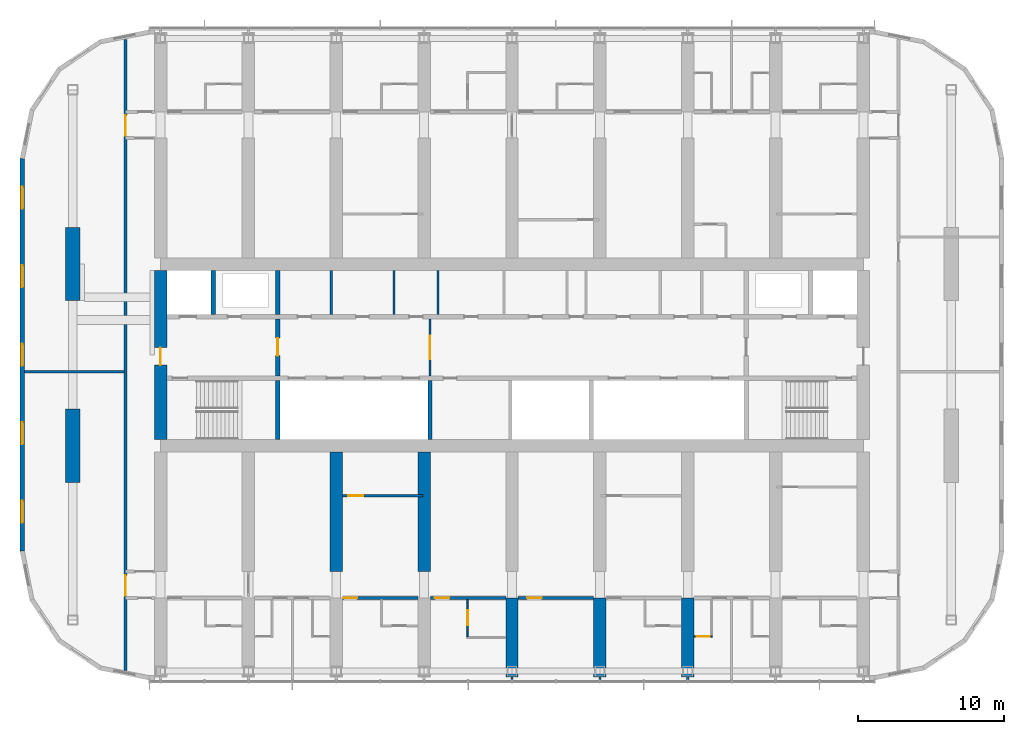
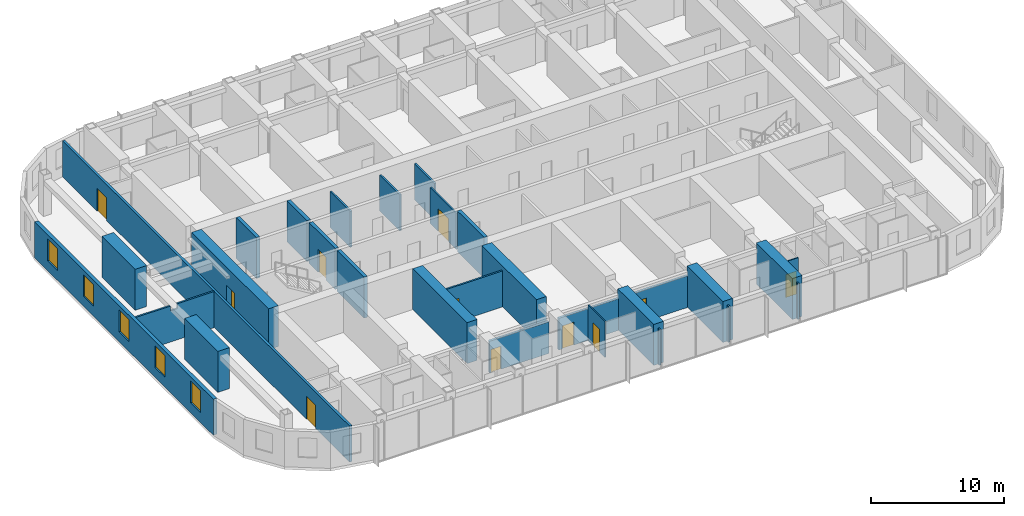
# One storey, part 11 of 22: 29 walls, 11 doors, 5 windows, 16 openings.
"""IFC4 building model written with IfcOpenShell, lengths in metres."""

import ifcopenshell
import ifcopenshell.guid

model = None  # the IFC model being written
_history = None  # IfcOwnerHistory: only IFC2X3 demands one
_inside = {}  # id of a spatial element -> (the spatial element, [elements in it])
_under = {}  # id of a project, library or spatial element -> (it, [spatial elements below it])
_declared = {}  # id of a project -> (the project, [libraries it declares])
_typed = {}  # id of a type object -> (the type object, [elements of that type])
_made_of = {}  # id of a material, layer set ... -> (it, [elements and type objects made of it])


def new_model(schema):
    """Start an empty IFC model of exactly this schema.

    Asked for "IFC4X3", IfcOpenShell would pick the latest addendum, in which some entities
    have other attributes; the version numbers below select the first issue.
    IFC2X3 requires an IfcOwnerHistory on every rooted entity: one is made here for all.
    """
    global model, _history
    if schema == "IFC4X3":
        model = ifcopenshell.file(schema_version=(4, 3, 0, 0))
    else:
        model = ifcopenshell.file(schema=schema)
    _inside.clear()
    _under.clear()
    _declared.clear()
    _typed.clear()
    _made_of.clear()
    _history = None
    if model.schema == "IFC2X3":
        org = make("IfcOrganization", Name="unknown")
        user = make(
            "IfcPersonAndOrganization",
            ThePerson=make("IfcPerson", FamilyName="unknown"),
            TheOrganization=org,
        )
        app = make(
            "IfcApplication",
            ApplicationDeveloper=org,
            Version="unknown",
            ApplicationFullName="unknown",
            ApplicationIdentifier="unknown",
        )
        _history = make(
            "IfcOwnerHistory",
            OwningUser=user,
            OwningApplication=app,
            ChangeAction="ADDED",
            CreationDate=0,
        )
    return model


def make(cls, **values):
    """One entity of the class cls with the attributes given. An attribute that is None is left unset."""
    return model.create_entity(
        cls, **{name: value for name, value in values.items() if value is not None}
    )


def rooted(cls, **values):
    """An entity with a GlobalId (a new one), such as an element, a storey or a relation."""
    return make(cls, GlobalId=ifcopenshell.guid.new(), OwnerHistory=_history, **values)


def si_unit(unit_type, name, prefix=None):
    """IfcSIUnit, for example si_unit("LENGTHUNIT", "METRE", prefix="MILLI")."""
    return make("IfcSIUnit", UnitType=unit_type, Prefix=prefix, Name=name)


def assignment(units):
    """IfcUnitAssignment: the units of a project."""
    return None if units is None else make("IfcUnitAssignment", Units=units)


def point(xyz):
    """IfcCartesianPoint."""
    return None if xyz is None else make("IfcCartesianPoint", Coordinates=xyz)


def direction(xyz):
    """IfcDirection."""
    return None if xyz is None else make("IfcDirection", DirectionRatios=xyz)


def frame(location, z_axis=None, x_axis=None):
    """IfcAxis2Placement3D, a coordinate frame: its origin and axes. An axis left out is left unset."""
    return make(
        "IfcAxis2Placement3D",
        Location=point(location),
        Axis=direction(z_axis),
        RefDirection=direction(x_axis),
    )


def frame_2d(location, x_axis=None):
    """IfcAxis2Placement2D, a coordinate frame in the plane: its origin and x axis."""
    return make(
        "IfcAxis2Placement2D", Location=point(location), RefDirection=direction(x_axis)
    )


def origin():
    """The frame at (0, 0, 0) with its axes left unset."""
    return frame((0.0, 0.0, 0.0))


def place(relative_to, where):
    """IfcLocalPlacement: puts the frame where relative to a parent placement (None: the world)."""
    return make(
        "IfcLocalPlacement", PlacementRelTo=relative_to, RelativePlacement=where
    )


def context(
    kind, dimensions, precision=None, world=None, true_north=None, identifier=None
):
    """IfcGeometricRepresentationContext, for example the 3D "Model" context."""
    return make(
        "IfcGeometricRepresentationContext",
        ContextIdentifier=identifier,
        ContextType=kind,
        CoordinateSpaceDimension=dimensions,
        Precision=precision,
        WorldCoordinateSystem=world,
        TrueNorth=true_north,
    )


def subcontext(parent, identifier, kind, view, scale=None):
    """IfcGeometricRepresentationSubContext, for example "Body" below "Model"."""
    return make(
        "IfcGeometricRepresentationSubContext",
        ContextIdentifier=identifier,
        ContextType=kind,
        ParentContext=parent,
        TargetScale=scale,
        TargetView=view,
    )


def project(units=None, contexts=None):
    """IfcProject with its units and contexts."""
    return rooted(
        "IfcProject",
        Name="project",
        RepresentationContexts=contexts,
        UnitsInContext=assignment(units),
    )


def spatial(cls, under=None, at=None, **own):
    """A site, building, storey or space (cls), placed at a placement, below another one or the project."""
    s = rooted(cls, ObjectPlacement=at, **own)
    if under is not None:
        _under.setdefault(under.id(), (under, []))[1].append(s)
    return s


def polyline(points):
    """IfcPolyline through the points."""
    return make("IfcPolyline", Points=[point(p) for p in points])


def profile(cls, at=None, kind="AREA", **sizes):
    """A parametric profile (cls). Its sizes go by their IFC names, for example OverallWidth=200.0."""
    return make(cls, ProfileType=kind, Position=at, **sizes)


def rectangle(**sizes):
    """IfcRectangleProfileDef."""
    return profile("IfcRectangleProfileDef", **sizes)


def outline(outer, holes=None, kind="AREA"):
    """IfcArbitraryClosedProfileDef: a profile drawn as a closed curve; with holes, ...WithVoids."""
    if holes is None:
        return make("IfcArbitraryClosedProfileDef", ProfileType=kind, OuterCurve=outer)
    return make(
        "IfcArbitraryProfileDefWithVoids",
        ProfileType=kind,
        OuterCurve=outer,
        InnerCurves=holes,
    )


def extrude(swept, where, along, depth):
    """IfcExtrudedAreaSolid: the profile swept, set in the frame where, extruded along a direction by depth."""
    return make(
        "IfcExtrudedAreaSolid",
        SweptArea=swept,
        Position=where,
        ExtrudedDirection=direction(along),
        Depth=depth,
    )


def shape(context_of_items, identifier, shape_type, items):
    """IfcShapeRepresentation: the items that make up one representation, for example the "Body"."""
    return make(
        "IfcShapeRepresentation",
        ContextOfItems=context_of_items,
        RepresentationIdentifier=identifier,
        RepresentationType=shape_type,
        Items=items,
    )


def material(Name=None, Category=None):
    """IfcMaterial."""
    return make("IfcMaterial", Name=Name, Category=Category)


def layer(
    of_material, thickness, ventilated=None, Name=None, Category=None, Priority=None
):
    """IfcMaterialLayer: one layer of a wall or slab, of a material (None: an air gap)."""
    return make(
        "IfcMaterialLayer",
        Material=of_material,
        LayerThickness=thickness,
        IsVentilated=ventilated,
        Name=Name,
        Category=Category,
        Priority=Priority,
    )


def layer_set(layers, Name=None):
    """IfcMaterialLayerSet."""
    return make("IfcMaterialLayerSet", MaterialLayers=layers, LayerSetName=Name)


def made_of(thing, what):
    """Note that an element or type object is made of a material, layer set ...; save() writes the relation."""
    if what is not None:
        _made_of.setdefault(what.id(), (what, []))[1].append(thing)
    return thing


def type_object(cls, material=None, **own):
    """A type object (cls), such as IfcWallType, which elements share."""
    return made_of(rooted(cls, **own), material)


def element(
    cls,
    number,
    at=None,
    inside=None,
    cuts=None,
    type_object=None,
    material=None,
    context=None,
    identifier="Body",
    shape_type=None,
    held_by="IfcProductDefinitionShape",
    body=None,
    shapes=None,
    **own,
):
    """One element of the class cls, such as IfcWall. Its Tag is "e" and its number.

    at: its placement. inside: the storey or other place that contains it. cuts: it is an
    opening in that element (IfcRelVoidsElement). A single representation is given by context,
    identifier, shape_type and body (its items); several are given by shapes. held_by: the class
    of the entity that holds the representations. save() writes the other relations.
    """
    e = rooted(cls, Tag="e%d" % number, ObjectPlacement=at, **own)
    if body is not None:
        shapes = [shape(context, identifier, shape_type, body)]
    if shapes is not None:
        e.Representation = make(held_by, Representations=shapes)
    if inside is not None:
        _inside.setdefault(inside.id(), (inside, []))[1].append(e)
    if cuts is not None:
        rooted(
            "IfcRelVoidsElement", RelatingBuildingElement=cuts, RelatedOpeningElement=e
        )
    if type_object is not None:
        _typed.setdefault(type_object.id(), (type_object, []))[1].append(e)
    return made_of(e, material)


def fill(opening, filler):
    """IfcRelFillsElement: the door or window that sits in an opening."""
    return rooted(
        "IfcRelFillsElement",
        RelatingOpeningElement=opening,
        RelatedBuildingElement=filler,
    )


def aggregate(whole, parts):
    """IfcRelAggregates: a whole, such as a stair, and the parts it consists of."""
    return rooted("IfcRelAggregates", RelatingObject=whole, RelatedObjects=parts)


def save(model, path):
    """Write the relations noted so far, then the file.

    IfcRelAggregates (storeys below a building ...), IfcRelContainedInSpatialStructure (elements
    in a storey), IfcRelDefinesByType, IfcRelAssociatesMaterial and IfcRelDeclares: one each for
    every whole, place, type object, material and project.
    """
    for whole, parts in _under.values():
        aggregate(whole, parts)
    for where, things in _inside.values():
        rooted(
            "IfcRelContainedInSpatialStructure",
            RelatedElements=things,
            RelatingStructure=where,
        )
    for kind, things in _typed.values():
        rooted("IfcRelDefinesByType", RelatedObjects=things, RelatingType=kind)
    for what, things in _made_of.values():
        rooted("IfcRelAssociatesMaterial", RelatedObjects=things, RelatingMaterial=what)
    for by, libraries in _declared.values():
        rooted("IfcRelDeclares", RelatingContext=by, RelatedDefinitions=libraries)
    model.write(path)


model = new_model("IFC4")

# Units and contexts
model_context = context("Model", 3, precision=1e-05, world=origin(), true_north=direction((0.0, 1.0)))
body_context = subcontext(model_context, "Body", "Model", "MODEL_VIEW")
ifc_project = project(units=[si_unit("LENGTHUNIT", "METRE"), si_unit("AREAUNIT", "SQUARE_METRE"), si_unit("VOLUMEUNIT", "CUBIC_METRE"), si_unit("PLANEANGLEUNIT", "RADIAN"), si_unit("MASSUNIT", "GRAM", prefix="KILO")], contexts=[model_context])

# Site, building, storey
site_placement = place(None, origin())
site = spatial("IfcSite", under=ifc_project, at=site_placement, CompositionType="ELEMENT")
building_placement = place(site_placement, origin())
building = spatial("IfcBuilding", under=site, at=building_placement, Name="Orbita Commons", CompositionType="ELEMENT")
storey_placement = place(building_placement, frame((0.0, 0.0, 189.85009765625)))
storey = spatial("IfcBuildingStorey", under=building, at=storey_placement, Name="L47", CompositionType="ELEMENT", Elevation=189.85009765625)

# Wall
ifc_material_1 = material(Name="Concrete C50/60", Category="concrete")
ifc_layer_1 = layer(ifc_material_1, 0.300048828125)
ifc_layer_set_1 = layer_set([ifc_layer_1], Name="Concrete C50/60")
wall_type_1 = type_object("IfcWallType", Name="Core inner wall 300 C50/60", PredefinedType="SHEAR", material=ifc_layer_set_1)
wall_1_placement = place(storey_placement, frame((26.0, 26.22509765625, 0.0), z_axis=(0.0, 0.0, 1.0), x_axis=(0.0, 1.0, 0.0)))
element("IfcWall", 1, at=wall_1_placement, inside=storey, type_object=wall_type_1, Name="Stair S1 wall L47", PredefinedType="SHEAR", context=body_context, shape_type="SweptSolid", body=[
    extrude(rectangle(XDim=4.02490234375, YDim=0.300048828125, at=frame_2d((2.012451171875, 0.0))), origin(), (0.0, 0.0, 1.0), 3.75),
])

# Wall, opening, door
wall_2_placement = place(storey_placement, frame((26.0, 30.550048828125, 0.0), z_axis=(0.0, 0.0, 1.0), x_axis=(0.0, 1.0, 0.0)))
wall_2 = element("IfcWall", 2, at=wall_2_placement, inside=storey, type_object=wall_type_1, Name="Firefighting lobby wall west L47", PredefinedType="SHEAR", context=body_context, shape_type="SweptSolid", body=[
    extrude(rectangle(XDim=3.89990234375, YDim=0.300048828125, at=frame_2d((1.949951171875, 0.0))), origin(), (0.0, 0.0, 1.0), 3.75),
])
opening_1_placement = place(wall_2_placement, frame((1.39990234375, 0.0, 0.0)))
opening_1 = element("IfcOpeningElement", 3, at=opening_1_placement, cuts=wall_2, Name="Opening D04", PredefinedType="OPENING", context=body_context, shape_type="SweptSolid", body=[
    extrude(rectangle(XDim=1.199951171875, YDim=2.10009765625, at=frame_2d((0.60009765625, 1.050048828125))), frame((0.0, 0.159912109375, 0.0), z_axis=(0.0, -1.0, 0.0), x_axis=(1.0, 0.0, 0.0)), (0.0, 0.0, 1.0), 0.320068359375),
])
ifc_material_2 = material(Name="Steel-faced fire door leaf", Category="steel")
door_type_1 = type_object("IfcDoorType", Name="Service door 20 min 1200x2100", OperationType="SINGLE_SWING_LEFT", PredefinedType="DOOR", material=ifc_material_2)
door_1_placement = place(opening_1_placement, origin())
door_1 = element("IfcDoor", 4, at=door_1_placement, inside=storey, type_object=door_type_1, Name="Lift lobby door west", OperationType="SINGLE_SWING_LEFT", OverallHeight=2.10009765625, OverallWidth=1.199951171875, PredefinedType="DOOR", context=body_context, shape_type="SweptSolid", body=[
    extrude(rectangle(XDim=1.199951171875, YDim=2.10009765625, at=frame_2d((0.60009765625, 1.050048828125))), frame((0.0, 0.02490234375, 0.0), z_axis=(0.0, -1.0, 0.0), x_axis=(1.0, 0.0, 0.0)), (0.0, 0.0, 1.0), 0.050048828125),
])
fill(opening_1, door_1)

# Walls
for number, where, z_axis, x_axis, name in (
    (5, (21.60009765625, 34.75, 0.0), (0.0, 0.0, 1.0), (0.0, 1.0, 0.0), "Firefighting lift FL1 shaft wall L47"),
    (6, (26.0, 34.75, 0.0), (0.0, 0.0, 1.0), (0.0, 1.0, 0.0), "Riser wall west L47"),
):
    element("IfcWall", number, at=place(storey_placement, frame(where, z_axis=z_axis, x_axis=x_axis)), inside=storey, type_object=wall_type_1, Name=name, PredefinedType="SHEAR", context=body_context, shape_type="SweptSolid", body=[
        extrude(rectangle(XDim=3.02490234375, YDim=0.300048828125, at=frame_2d((1.512451171875, 0.0))), origin(), (0.0, 0.0, 1.0), 3.75),
    ])
wall_3_placement = place(storey_placement, frame((36.39990234375, 26.22509765625, 0.0), z_axis=(0.0, 0.0, 1.0), x_axis=(0.0, 1.0, 0.0)))
element("IfcWall", 7, at=wall_3_placement, inside=storey, type_object=wall_type_1, Name="Hoistway division wall L47", PredefinedType="SHEAR", context=body_context, shape_type="SweptSolid", body=[
    extrude(rectangle(XDim=4.02490234375, YDim=0.300048828125, at=frame_2d((2.012451171875, 0.0))), origin(), (0.0, 0.0, 1.0), 3.75),
])

# Wall, opening, door
ifc_material_3 = material(Name="Concrete blockwork", Category="masonry")
ifc_layer_2 = layer(ifc_material_3, 0.14990234375)
ifc_layer_set_2 = layer_set([ifc_layer_2], Name="Concrete blockwork")
wall_type_2 = type_object("IfcWallType", Name="Core partition 150 blockwork", PredefinedType="SOLIDWALL", material=ifc_layer_set_2)
wall_4_placement = place(storey_placement, frame((36.39990234375, 30.550048828125, 0.0), z_axis=(0.0, 0.0, 1.0), x_axis=(0.0, 1.0, 0.0)))
wall_4 = element("IfcWall", 8, at=wall_4_placement, inside=storey, type_object=wall_type_2, Name="Core partition 150 blockwork L47", PredefinedType="SOLIDWALL", context=body_context, shape_type="SweptSolid", body=[
    extrude(rectangle(XDim=3.89990234375, YDim=0.14990234375, at=frame_2d((1.949951171875, 0.0))), origin(), (0.0, 0.0, 1.0), 3.2998046875),
])
opening_2_placement = place(wall_4_placement, frame((1.14990234375, 0.0, 0.0)))
opening_2 = element("IfcOpeningElement", 9, at=opening_2_placement, cuts=wall_4, Name="Opening D10", PredefinedType="OPENING", context=body_context, shape_type="SweptSolid", body=[
    extrude(rectangle(XDim=1.60009765625, YDim=2.10009765625, at=frame_2d((0.800048828125, 1.050048828125))), frame((0.0, 0.0849609375, 0.0), z_axis=(0.0, -1.0, 0.0), x_axis=(1.0, 0.0, 0.0)), (0.0, 0.0, 1.0), 0.169921875),
])
ifc_material_4 = material(Name="Steel-faced fire door leaf", Category="steel")
door_type_2 = type_object("IfcDoorType", Name="Double corridor door 20 min 1600x2100", OperationType="DOUBLE_DOOR_SINGLE_SWING", PredefinedType="DOOR", material=ifc_material_4)
door_2_placement = place(opening_2_placement, origin())
door_2 = element("IfcDoor", 10, at=door_2_placement, inside=storey, type_object=door_type_2, Name="Lift lobby screen doors", OperationType="DOUBLE_DOOR_SINGLE_SWING", OverallHeight=2.10009765625, OverallWidth=1.60009765625, PredefinedType="DOOR", context=body_context, shape_type="SweptSolid", body=[
    extrude(rectangle(XDim=1.60009765625, YDim=2.10009765625, at=frame_2d((0.800048828125, 1.050048828125))), frame((0.0, 0.02490234375, 0.0), z_axis=(0.0, -1.0, 0.0), x_axis=(1.0, 0.0, 0.0)), (0.0, 0.0, 1.0), 0.050048828125),
])
fill(opening_2, door_2)

# Walls
for number, where, z_axis, x_axis, name in (
    (11, (29.65087890625, 34.75, 0.0), (0.0, 0.0, 1.0), (0.0, 1.0, 0.0), "Core partition 150 blockwork L47"),
    (12, (33.9462890625, 34.75, 0.0), (0.0, 0.0, 1.0), (0.0, 1.0, 0.0), "Core partition 150 blockwork L47"),
    (13, (36.9462890625, 34.75, 0.0), (0.0, 0.0, 1.0), (0.0, 1.0, 0.0), "Core partition 150 blockwork L47"),
):
    element("IfcWall", number, at=place(storey_placement, frame(where, z_axis=z_axis, x_axis=x_axis)), inside=storey, type_object=wall_type_2, Name=name, PredefinedType="SOLIDWALL", context=body_context, shape_type="SweptSolid", body=[
        extrude(rectangle(XDim=3.02490234375, YDim=0.14990234375, at=frame_2d((1.512451171875, 0.0))), origin(), (0.0, 0.0, 1.0), 3.2998046875),
    ])

# Wall, opening, door
ifc_material_5 = material(Name="Concrete C50/60", Category="concrete")
ifc_layer_3 = layer(ifc_material_5, 0.85009765625)
ifc_layer_set_3 = layer_set([ifc_layer_3], Name="Concrete C50/60")
wall_type_3 = type_object("IfcWallType", Name="Core wall 850 C50/60", PredefinedType="SHEAR", material=ifc_layer_set_3)
wall_5_placement = place(storey_placement, frame((18.0, 26.22509765625, 0.0), z_axis=(0.0, 0.0, 1.0), x_axis=(0.0, 1.0, 0.0)))
wall_5 = element("IfcWall", 14, at=wall_5_placement, inside=storey, type_object=wall_type_3, Name="Core end wall west L47", PredefinedType="SHEAR", context=body_context, shape_type="SweptSolid", body=[
    extrude(rectangle(XDim=11.5498046875, YDim=0.85009765625, at=frame_2d((5.77490234375, 0.0))), origin(), (0.0, 0.0, 1.0), 3.75),
])
opening_3_placement = place(wall_5_placement, frame((5.074951171875, 0.0, 0.0)))
opening_3 = element("IfcOpeningElement", 15, at=opening_3_placement, cuts=wall_5, Name="Opening D01", PredefinedType="OPENING", context=body_context, shape_type="SweptSolid", body=[
    extrude(rectangle(XDim=1.199951171875, YDim=2.10009765625, at=frame_2d((0.60009765625, 1.050048828125))), frame((0.0, 0.43505859375, 0.0), z_axis=(0.0, -1.0, 0.0), x_axis=(1.0, 0.0, 0.0)), (0.0, 0.0, 1.0), 0.8701171875),
])
ifc_material_6 = material(Name="Steel-faced fire door leaf", Category="steel")
door_type_3 = type_object("IfcDoorType", Name="Fire door 90 min 1200x2100", OperationType="SINGLE_SWING_LEFT", PredefinedType="DOOR", material=ifc_material_6)
door_3_placement = place(opening_3_placement, origin())
door_3 = element("IfcDoor", 16, at=door_3_placement, inside=storey, type_object=door_type_3, Name="Firefighting lobby west door", OperationType="SINGLE_SWING_LEFT", OverallHeight=2.10009765625, OverallWidth=1.199951171875, PredefinedType="DOOR", context=body_context, shape_type="SweptSolid", body=[
    extrude(rectangle(XDim=1.199951171875, YDim=2.10009765625, at=frame_2d((0.60009765625, 1.050048828125))), frame((0.0, 0.02490234375, 0.0), z_axis=(0.0, -1.0, 0.0), x_axis=(1.0, 0.0, 0.0)), (0.0, 0.0, 1.0), 0.050048828125),
])
fill(opening_3, door_3)

ifc_material_7 = material(Name="Concrete blockwork", Category="masonry")
ifc_layer_4 = layer(ifc_material_7, 0.199951171875)
ifc_layer_set_4 = layer_set([ifc_layer_4], Name="Concrete blockwork")
wall_type_4 = type_object("IfcWallType", Name="Corridor wall 200 blockwork", PredefinedType="SOLIDWALL", material=ifc_layer_set_4)
wall_6_placement = place(storey_placement, frame((30.425048828125, 15.39990234375, 0.0), z_axis=(0.0, 0.0, 1.0), x_axis=(1.0, 0.0, 0.0)))
wall_6 = element("IfcWall", 17, at=wall_6_placement, inside=storey, type_object=wall_type_4, Name="Corridor wall 200 blockwork L47", PredefinedType="SOLIDWALL", context=body_context, shape_type="SweptSolid", body=[
    extrude(outline(polyline([(0.0, 0.0), (5.14990234375, 0.0), (5.14990234375, 2.89990234375), (0.0, 2.89990234375), (0.0, 0.0)])), frame((0.0, 0.10009765625, 0.0), z_axis=(0.0, -1.0, 0.0), x_axis=(1.0, 0.0, 0.0)), (0.0, 0.0, 1.0), 0.199951171875),
])
opening_4_placement = place(wall_6_placement, frame((0.10009765625, 0.0, 0.0)))
opening_4 = element("IfcOpeningElement", 18, at=opening_4_placement, cuts=wall_6, Name="Opening D11", PredefinedType="OPENING", context=body_context, shape_type="SweptSolid", body=[
    extrude(rectangle(XDim=0.89990234375, YDim=2.10009765625, at=frame_2d((0.449951171875, 1.050048828125))), frame((0.0, 0.10986328125, 0.0), z_axis=(0.0, -1.0, 0.0), x_axis=(1.0, 0.0, 0.0)), (0.0, 0.0, 1.0), 0.219970703125),
])
ifc_material_8 = material(Name="Steel-faced fire door leaf", Category="steel")
door_type_4 = type_object("IfcDoorType", Name="Corridor door 20 min 900x2100", OperationType="SINGLE_SWING_LEFT", PredefinedType="DOOR", material=ifc_material_8)
door_4_placement = place(opening_4_placement, origin())
door_4 = element("IfcDoor", 19, at=door_4_placement, inside=storey, type_object=door_type_4, Name="Twin room L47-S04 door", OperationType="SINGLE_SWING_LEFT", OverallHeight=2.10009765625, OverallWidth=0.89990234375, PredefinedType="DOOR", context=body_context, shape_type="SweptSolid", body=[
    extrude(rectangle(XDim=0.89990234375, YDim=2.10009765625, at=frame_2d((0.449951171875, 1.050048828125))), frame((0.0, 0.02490234375, 0.0), z_axis=(0.0, -1.0, 0.0), x_axis=(1.0, 0.0, 0.0)), (0.0, 0.0, 1.0), 0.050048828125),
])
fill(opening_4, door_4)

wall_7_placement = place(storey_placement, frame((36.425048828125, 15.39990234375, 0.0), z_axis=(0.0, 0.0, 1.0), x_axis=(1.0, 0.0, 0.0)))
wall_7 = element("IfcWall", 20, at=wall_7_placement, inside=storey, type_object=wall_type_4, Name="Corridor wall 200 blockwork L47", PredefinedType="SOLIDWALL", context=body_context, shape_type="SweptSolid", body=[
    extrude(outline(polyline([(0.0, 0.0), (5.14990234375, 0.0), (5.14990234375, 2.89990234375), (0.0, 2.89990234375), (0.0, 0.0)])), frame((0.0, 0.10009765625, 0.0), z_axis=(0.0, -1.0, 0.0), x_axis=(1.0, 0.0, 0.0)), (0.0, 0.0, 1.0), 0.199951171875),
])
opening_5_placement = place(wall_7_placement, frame((0.300048828125, 0.0, 0.0)))
opening_5 = element("IfcOpeningElement", 21, at=opening_5_placement, cuts=wall_7, Name="Opening D06", PredefinedType="OPENING", context=body_context, shape_type="SweptSolid", body=[
    extrude(rectangle(XDim=1.0, YDim=2.10009765625, at=frame_2d((0.5, 1.050048828125))), frame((0.0, 0.10986328125, 0.0), z_axis=(0.0, -1.0, 0.0), x_axis=(1.0, 0.0, 0.0)), (0.0, 0.0, 1.0), 0.219970703125),
])
ifc_material_9 = material(Name="Steel-faced fire door leaf", Category="steel")
door_type_5 = type_object("IfcDoorType", Name="Corridor door 20 min 1000x2100", OperationType="SINGLE_SWING_LEFT", PredefinedType="DOOR", material=ifc_material_9)
door_5_placement = place(opening_5_placement, origin())
door_5 = element("IfcDoor", 22, at=door_5_placement, inside=storey, type_object=door_type_5, Name="Accessible bedroom L47-S06 door", OperationType="SINGLE_SWING_LEFT", OverallHeight=2.10009765625, OverallWidth=1.0, PredefinedType="DOOR", context=body_context, shape_type="SweptSolid", body=[
    extrude(rectangle(XDim=1.0, YDim=2.10009765625, at=frame_2d((0.5, 1.050048828125))), frame((0.0, 0.02490234375, 0.0), z_axis=(0.0, -1.0, 0.0), x_axis=(1.0, 0.0, 0.0)), (0.0, 0.0, 1.0), 0.050048828125),
])
fill(opening_5, door_5)

wall_8_placement = place(storey_placement, frame((42.425048828125, 15.39990234375, 0.0), z_axis=(0.0, 0.0, 1.0), x_axis=(1.0, 0.0, 0.0)))
wall_8 = element("IfcWall", 23, at=wall_8_placement, inside=storey, type_object=wall_type_4, Name="Corridor wall 200 blockwork L47", PredefinedType="SOLIDWALL", context=body_context, shape_type="SweptSolid", body=[
    extrude(outline(polyline([(0.0, 0.0), (5.14990234375, 0.0), (5.14990234375, 2.89990234375), (0.0, 2.89990234375), (0.0, 0.0)])), frame((0.0, 0.10009765625, 0.0), z_axis=(0.0, -1.0, 0.0), x_axis=(1.0, 0.0, 0.0)), (0.0, 0.0, 1.0), 0.199951171875),
])
opening_6_placement = place(wall_8_placement, frame((0.60009765625, 0.0, 0.0)))
opening_6 = element("IfcOpeningElement", 24, at=opening_6_placement, cuts=wall_8, Name="Opening D06", PredefinedType="OPENING", context=body_context, shape_type="SweptSolid", body=[
    extrude(rectangle(XDim=1.0, YDim=2.10009765625, at=frame_2d((0.5, 1.050048828125))), frame((0.0, 0.10986328125, 0.0), z_axis=(0.0, -1.0, 0.0), x_axis=(1.0, 0.0, 0.0)), (0.0, 0.0, 1.0), 0.219970703125),
])
door_6_placement = place(opening_6_placement, origin())
door_6 = element("IfcDoor", 25, at=door_6_placement, inside=storey, type_object=door_type_5, Name="Cluster kitchen-diner L47-S08 door", OperationType="SINGLE_SWING_LEFT", OverallHeight=2.10009765625, OverallWidth=1.0, PredefinedType="DOOR", context=body_context, shape_type="SweptSolid", body=[
    extrude(rectangle(XDim=1.0, YDim=2.10009765625, at=frame_2d((0.5, 1.050048828125))), frame((0.0, 0.02490234375, 0.0), z_axis=(0.0, -1.0, 0.0), x_axis=(1.0, 0.0, 0.0)), (0.0, 0.0, 1.0), 0.050048828125),
])
fill(opening_6, door_6)

# Wall, openings, doors
wall_9_placement = place(storey_placement, frame((15.60009765625, 10.4462890625, 0.0), z_axis=(0.0, 0.0, 1.0), x_axis=(0.0, 1.0, 0.0)))
wall_9 = element("IfcWall", 26, at=wall_9_placement, inside=storey, type_object=wall_type_4, Name="Corridor wall 200 blockwork L47", PredefinedType="SOLIDWALL", context=body_context, shape_type="SweptSolid", body=[
    extrude(rectangle(XDim=43.107421875, YDim=0.199951171875, at=frame_2d((21.5537109375, 0.0))), origin(), (0.0, 0.0, 1.0), 3.2998046875),
])
opening_7_placement = place(wall_9_placement, frame((5.103759765625, 0.0, 0.0)))
opening_7 = element("IfcOpeningElement", 27, at=opening_7_placement, cuts=wall_9, Name="Opening D08", PredefinedType="OPENING", context=body_context, shape_type="SweptSolid", body=[
    extrude(rectangle(XDim=1.39990234375, YDim=2.10009765625, at=frame_2d((0.699951171875, 1.050048828125))), frame((0.0, 0.10986328125, 0.0), z_axis=(0.0, -1.0, 0.0), x_axis=(1.0, 0.0, 0.0)), (0.0, 0.0, 1.0), 0.219970703125),
])
opening_8_placement = place(wall_9_placement, frame((36.50390625, 0.0, 0.0)))
opening_8 = element("IfcOpeningElement", 28, at=opening_8_placement, cuts=wall_9, Name="Opening D08", PredefinedType="OPENING", context=body_context, shape_type="SweptSolid", body=[
    extrude(rectangle(XDim=1.39990234375, YDim=2.10009765625, at=frame_2d((0.699951171875, 1.050048828125))), frame((0.0, 0.10986328125, 0.0), z_axis=(0.0, -1.0, 0.0), x_axis=(1.0, 0.0, 0.0)), (0.0, 0.0, 1.0), 0.219970703125),
])
ifc_material_10 = material(Name="Steel-faced fire door leaf", Category="steel")
door_type_6 = type_object("IfcDoorType", Name="Double corridor door 20 min 1400x2100", OperationType="DOUBLE_DOOR_SINGLE_SWING", PredefinedType="DOOR", material=ifc_material_10)
door_7_placement = place(opening_7_placement, origin())
door_7 = element("IfcDoor", 29, at=door_7_placement, inside=storey, type_object=door_type_6, Name="Lounge doors", OperationType="DOUBLE_DOOR_SINGLE_SWING", OverallHeight=2.10009765625, OverallWidth=1.39990234375, PredefinedType="DOOR", context=body_context, shape_type="SweptSolid", body=[
    extrude(rectangle(XDim=1.39990234375, YDim=2.10009765625, at=frame_2d((0.699951171875, 1.050048828125))), frame((0.0, 0.02490234375, 0.0), z_axis=(0.0, -1.0, 0.0), x_axis=(1.0, 0.0, 0.0)), (0.0, 0.0, 1.0), 0.050048828125),
])
fill(opening_7, door_7)
door_8_placement = place(opening_8_placement, origin())
door_8 = element("IfcDoor", 30, at=door_8_placement, inside=storey, type_object=door_type_6, Name="Lounge doors", OperationType="DOUBLE_DOOR_SINGLE_SWING", OverallHeight=2.10009765625, OverallWidth=1.39990234375, PredefinedType="DOOR", context=body_context, shape_type="SweptSolid", body=[
    extrude(rectangle(XDim=1.39990234375, YDim=2.10009765625, at=frame_2d((0.699951171875, 1.050048828125))), frame((0.0, 0.02490234375, 0.0), z_axis=(0.0, -1.0, 0.0), x_axis=(1.0, 0.0, 0.0)), (0.0, 0.0, 1.0), 0.050048828125),
])
fill(opening_8, door_8)

# Walls
ifc_material_11 = material(Name="Concrete C50/60", Category="concrete")
ifc_layer_5 = layer(ifc_material_11, 0.85009765625)
ifc_layer_set_5 = layer_set([ifc_layer_5], Name="Concrete C50/60")
wall_type_5 = type_object("IfcWallType", Name="Cross wall 850 C50/60", PredefinedType="SHEAR", material=ifc_layer_set_5)
for number, where, z_axis, x_axis, name in (
    (31, (30.0, 17.199951171875, 0.0), (0.0, 0.0, 1.0), (0.0, 1.0, 0.0), "Cross wall 6 south inner L47"),
    (32, (36.0, 17.199951171875, 0.0), (0.0, 0.0, 1.0), (0.0, 1.0, 0.0), "Cross wall 7 south inner L47"),
):
    element("IfcWall", number, at=place(storey_placement, frame(where, z_axis=z_axis, x_axis=x_axis)), inside=storey, type_object=wall_type_5, Name=name, PredefinedType="SHEAR", context=body_context, shape_type="SweptSolid", body=[
        extrude(rectangle(XDim=8.175048828125, YDim=0.85009765625, at=frame_2d((4.08740234375, 0.0))), origin(), (0.0, 0.0, 1.0), 3.75),
    ])
for number, where, z_axis, x_axis, name in (
    (33, (42.0, 10.0, 0.0), (0.0, 0.0, 1.0), (0.0, 1.0, 0.0), "Cross wall 8 south outer L47"),
    (34, (48.0, 10.0, 0.0), (0.0, 0.0, 1.0), (0.0, 1.0, 0.0), "Cross wall 9 south outer L47"),
    (35, (54.0, 10.0, 0.0), (0.0, 0.0, 1.0), (0.0, 1.0, 0.0), "Cross wall 10 south outer L47"),
):
    element("IfcWall", number, at=place(storey_placement, frame(where, z_axis=z_axis, x_axis=x_axis)), inside=storey, type_object=wall_type_5, Name=name, PredefinedType="SHEAR", context=body_context, shape_type="SweptSolid", body=[
        extrude(rectangle(XDim=5.39990234375, YDim=0.85009765625, at=frame_2d((2.699951171875, 0.0))), origin(), (0.0, 0.0, 1.0), 3.75),
    ])

# Wall, opening, door
ifc_material_12 = material(Name="Moisture-resistant plasterboard on steel studs", Category="steel")
ifc_layer_6 = layer(ifc_material_12, 0.10009765625)
ifc_layer_set_6 = layer_set([ifc_layer_6], Name="Moisture-resistant plasterboard on steel studs")
wall_type_6 = type_object("IfcWallType", Name="En-suite partition 100", PredefinedType="PARTITIONING", material=ifc_layer_set_6)
wall_10_placement = place(storey_placement, frame((38.97509765625, 12.75, 0.0), z_axis=(0.0, 0.0, 1.0), x_axis=(0.0, 1.0, 0.0)))
wall_10 = element("IfcWall", 36, at=wall_10_placement, inside=storey, type_object=wall_type_6, Name="En-suite partition 100 L47", PredefinedType="PARTITIONING", context=body_context, shape_type="SweptSolid", body=[
    extrude(outline(polyline([(0.0, 0.0), (2.550048828125, 0.0), (2.550048828125, 2.89990234375), (2.501953125, 2.89990234375), (2.5, 3.2998046875), (0.0, 3.2998046875), (0.0, 0.0)])), frame((0.0, 0.050048828125, 0.0), z_axis=(0.0, -1.0, 0.0), x_axis=(1.0, 0.0, 0.0)), (0.0, 0.0, 1.0), 0.10009765625),
])
opening_9_placement = place(wall_10_placement, frame((0.800048828125, 0.0, 0.0)))
opening_9 = element("IfcOpeningElement", 37, at=opening_9_placement, cuts=wall_10, Name="Opening D13", PredefinedType="OPENING", context=body_context, shape_type="SweptSolid", body=[
    extrude(rectangle(XDim=1.0, YDim=2.10009765625, at=frame_2d((0.5, 1.050048828125))), frame((0.0, 0.06005859375, 0.0), z_axis=(0.0, -1.0, 0.0), x_axis=(1.0, 0.0, 0.0)), (0.0, 0.0, 1.0), 0.1201171875),
])
ifc_material_13 = material(Name="Laminated timber door leaf", Category="wood")
door_type_7 = type_object("IfcDoorType", Name="En-suite door 1000x2100", OperationType="SINGLE_SWING_RIGHT", PredefinedType="DOOR", material=ifc_material_13)
door_9_placement = place(opening_9_placement, origin())
door_9 = element("IfcDoor", 38, at=door_9_placement, inside=storey, type_object=door_type_7, Name="Accessible shower room L47-S06 door", OperationType="SINGLE_SWING_RIGHT", OverallHeight=2.10009765625, OverallWidth=1.0, PredefinedType="DOOR", context=body_context, shape_type="SweptSolid", body=[
    extrude(rectangle(XDim=1.0, YDim=2.10009765625, at=frame_2d((0.5, 1.050048828125))), frame((0.0, 0.02490234375, 0.0), z_axis=(0.0, -1.0, 0.0), x_axis=(1.0, 0.0, 0.0)), (0.0, 0.0, 1.0), 0.050048828125),
])
fill(opening_9, door_9)

wall_11_placement = place(storey_placement, frame((55.675048828125, 12.75830078125, 0.0), z_axis=(0.0, 0.0, 1.0), x_axis=(-1.0, 0.0, 0.0)))
wall_11 = element("IfcWall", 39, at=wall_11_placement, inside=storey, type_object=wall_type_6, Name="En-suite partition 100 L47", PredefinedType="PARTITIONING", context=body_context, shape_type="SweptSolid", body=[
    extrude(rectangle(XDim=1.25, YDim=0.10009765625, at=frame_2d((0.625, 0.0))), origin(), (0.0, 0.0, 1.0), 3.2998046875),
])
opening_10_placement = place(wall_11_placement, frame((0.175048828125, 0.0, 0.0)))
opening_10 = element("IfcOpeningElement", 40, at=opening_10_placement, cuts=wall_11, Name="Opening D09", PredefinedType="OPENING", context=body_context, shape_type="SweptSolid", body=[
    extrude(rectangle(XDim=0.89990234375, YDim=2.10009765625, at=frame_2d((0.449951171875, 1.050048828125))), frame((0.0, 0.06005859375, 0.0), z_axis=(0.0, -1.0, 0.0), x_axis=(1.0, 0.0, 0.0)), (0.0, 0.0, 1.0), 0.1201171875),
])
ifc_material_14 = material(Name="Laminated timber door leaf", Category="wood")
door_type_8 = type_object("IfcDoorType", Name="En-suite door 900x2100", OperationType="SINGLE_SWING_RIGHT", PredefinedType="DOOR", material=ifc_material_14)
door_10_placement = place(opening_10_placement, origin())
door_10 = element("IfcDoor", 41, at=door_10_placement, inside=storey, type_object=door_type_8, Name="En-suite L47-S12 door", OperationType="SINGLE_SWING_RIGHT", OverallHeight=2.10009765625, OverallWidth=0.89990234375, PredefinedType="DOOR", context=body_context, shape_type="SweptSolid", body=[
    extrude(rectangle(XDim=0.89990234375, YDim=2.10009765625, at=frame_2d((0.449951171875, 1.050048828125))), frame((0.0, 0.02490234375, 0.0), z_axis=(0.0, -1.0, 0.0), x_axis=(1.0, 0.0, 0.0)), (0.0, 0.0, 1.0), 0.050048828125),
])
fill(opening_10, door_10)

# Walls
ifc_material_15 = material(Name="Concrete C50/60", Category="concrete")
ifc_layer_7 = layer(ifc_material_15, 1.0)
ifc_layer_set_7 = layer_set([ifc_layer_7], Name="Concrete C50/60")
wall_type_7 = type_object("IfcWallType", Name="End pier 1000x5000 C50/60", PredefinedType="SHEAR", material=ifc_layer_set_7)
for number, where, z_axis, x_axis, name in (
    (42, (12.0, 23.300048828125, 0.0), (0.0, 0.0, 1.0), (0.0, 1.0, 0.0), "End pier 3/C L47"),
    (43, (12.0, 35.699951171875, 0.0), (0.0, 0.0, 1.0), (0.0, 1.0, 0.0), "End pier 3/D L47"),
):
    element("IfcWall", number, at=place(storey_placement, frame(where, z_axis=z_axis, x_axis=x_axis)), inside=storey, type_object=wall_type_7, Name=name, PredefinedType="SHEAR", context=body_context, shape_type="SweptSolid", body=[
        extrude(rectangle(XDim=5.0, YDim=1.0, at=frame_2d((2.5, 0.0))), origin(), (0.0, 0.0, 1.0), 3.75),
    ])

# Wall, opening, door
ifc_material_16 = material(Name="Gypsum plasterboard on steel studs", Category="steel")
ifc_layer_8 = layer(ifc_material_16, 0.14990234375)
ifc_layer_set_8 = layer_set([ifc_layer_8], Name="Gypsum plasterboard on steel studs")
wall_type_8 = type_object("IfcWallType", Name="Partition 150 plasterboard", PredefinedType="PARTITIONING", material=ifc_layer_set_8)
wall_12_placement = place(storey_placement, frame((30.425048828125, 22.375, 0.0), z_axis=(0.0, 0.0, 1.0), x_axis=(1.0, 0.0, 0.0)))
wall_12 = element("IfcWall", 44, at=wall_12_placement, inside=storey, type_object=wall_type_8, Name="Partition 150 plasterboard L47", PredefinedType="PARTITIONING", context=body_context, shape_type="SweptSolid", body=[
    extrude(rectangle(XDim=5.5, YDim=0.14990234375, at=frame_2d((2.75, 0.0))), origin(), (0.0, 0.0, 1.0), 3.2998046875),
])
opening_11_placement = place(wall_12_placement, frame((0.39990234375, 0.0, 0.0)))
opening_11 = element("IfcOpeningElement", 45, at=opening_11_placement, cuts=wall_12, Name="Opening D17", PredefinedType="OPENING", context=body_context, shape_type="SweptSolid", body=[
    extrude(rectangle(XDim=1.0, YDim=2.10009765625, at=frame_2d((0.5, 1.050048828125))), frame((0.0, 0.0849609375, 0.0), z_axis=(0.0, -1.0, 0.0), x_axis=(1.0, 0.0, 0.0)), (0.0, 0.0, 1.0), 0.169921875),
])
ifc_material_17 = material(Name="Steel-faced fire door leaf", Category="steel")
door_type_9 = type_object("IfcDoorType", Name="Shaft access door 90 min 1000x2100", OperationType="SINGLE_SWING_LEFT", PredefinedType="DOOR", material=ifc_material_17)
door_11_placement = place(opening_11_placement, origin())
door_11 = element("IfcDoor", 46, at=door_11_placement, inside=storey, type_object=door_type_9, Name="Ventilation plant room south L47-BDS30 door", OperationType="SINGLE_SWING_LEFT", OverallHeight=2.10009765625, OverallWidth=1.0, PredefinedType="DOOR", context=body_context, shape_type="SweptSolid", body=[
    extrude(rectangle(XDim=1.0, YDim=2.10009765625, at=frame_2d((0.5, 1.050048828125))), frame((0.0, 0.02490234375, 0.0), z_axis=(0.0, -1.0, 0.0), x_axis=(1.0, 0.0, 0.0)), (0.0, 0.0, 1.0), 0.050048828125),
])
fill(opening_11, door_11)

# Walls
wall_13_placement = place(storey_placement, frame((8.705078125, 30.85009765625, 0.0), z_axis=(0.0, 0.0, 1.0), x_axis=(1.0, 0.0, 0.0)))
element("IfcWall", 47, at=wall_13_placement, inside=storey, type_object=wall_type_8, Name="Partition 150 plasterboard L47", PredefinedType="PARTITIONING", context=body_context, shape_type="SweptSolid", body=[
    extrude(outline(polyline([(0.0, 0.0), (6.81982421875, 0.0), (6.820068359375, 3.2998046875), (3.596923828125, 3.2998046875), (3.594970703125, 2.849853515625), (2.9970703125, 2.849853515625), (2.9951171875, 3.2998046875), (0.0, 3.2998046875), (0.0, 0.0)])), frame((0.0, 0.074951171875, 0.0), z_axis=(0.0, -1.0, 0.0), x_axis=(1.0, 0.0, 0.0)), (0.0, 0.0, 1.0), 0.14990234375),
])
for number, where, z_axis, x_axis, name in (
    (48, (42.0, 10.050048828125, 0.0), (0.0, 0.0, 1.0), (0.0, -1.0, 0.0), "Partition 150 plasterboard L47"),
    (49, (48.0, 10.050048828125, 0.0), (0.0, 0.0, 1.0), (0.0, -1.0, 0.0), "Partition 150 plasterboard L47"),
    (50, (54.0, 10.050048828125, 0.0), (0.0, 0.0, 1.0), (0.0, -1.0, 0.0), "Partition 150 plasterboard L47"),
):
    element("IfcWall", number, at=place(storey_placement, frame(where, z_axis=z_axis, x_axis=x_axis)), inside=storey, type_object=wall_type_8, Name=name, PredefinedType="PARTITIONING", context=body_context, shape_type="SweptSolid", body=[
        extrude(rectangle(XDim=0.239990234375, YDim=0.14990234375, at=frame_2d((0.1201171875, 0.0))), origin(), (0.0, 0.0, 1.0), 3.2998046875),
    ])

# Wall, openings, windows
ifc_material_18 = material(Name="Precast concrete C40/50, white board-marked finish", Category="concrete")
ifc_layer_9 = layer(ifc_material_18, 0.300048828125)
ifc_layer_set_9 = layer_set([ifc_layer_9], Name="Precast concrete C40/50, white board-marked finish")
wall_type_9 = type_object("IfcWallType", Name="Precast concrete end shield 300", PredefinedType="SOLIDWALL", material=ifc_layer_set_9)
wall_14_placement = place(storey_placement, frame((8.550048828125, 45.39990234375, 0.0), z_axis=(0.0, 0.0, 1.0), x_axis=(0.0, -1.0, 0.0)))
wall_14 = element("IfcWall", 51, at=wall_14_placement, inside=storey, type_object=wall_type_9, Name="End shield W L47", PredefinedType="SOLIDWALL", context=body_context, shape_type="SweptSolid", body=[
    extrude(outline(polyline([(-0.014892578125, -0.14990234375), (26.814697265625, -0.14990234375), (26.784912109375, 0.14990234375), (0.014892578125, 0.14990234375), (-0.014892578125, -0.14990234375)])), origin(), (0.0, 0.0, 1.0), 3.2998046875),
])
opening_12_placement = place(wall_14_placement, frame((1.929931640625, 0.0, 0.89990234375)))
opening_12 = element("IfcOpeningElement", 52, at=opening_12_placement, cuts=wall_14, Name="Opening W01", PredefinedType="OPENING", context=body_context, shape_type="SweptSolid", body=[
    extrude(rectangle(XDim=1.5, YDim=2.0, at=frame_2d((0.75, 1.0))), frame((0.0, 0.159912109375, 0.0), z_axis=(0.0, -1.0, 0.0), x_axis=(1.0, 0.0, 0.0)), (0.0, 0.0, 1.0), 0.320068359375),
])
opening_13_placement = place(wall_14_placement, frame((7.2900390625, 0.0, 0.89990234375)))
opening_13 = element("IfcOpeningElement", 53, at=opening_13_placement, cuts=wall_14, Name="Opening W01", PredefinedType="OPENING", context=body_context, shape_type="SweptSolid", body=[
    extrude(rectangle(XDim=1.5, YDim=2.0, at=frame_2d((0.75, 1.0))), frame((0.0, 0.159912109375, 0.0), z_axis=(0.0, -1.0, 0.0), x_axis=(1.0, 0.0, 0.0)), (0.0, 0.0, 1.0), 0.320068359375),
])
opening_14_placement = place(wall_14_placement, frame((12.64990234375, 0.0, 0.89990234375)))
opening_14 = element("IfcOpeningElement", 54, at=opening_14_placement, cuts=wall_14, Name="Opening W01", PredefinedType="OPENING", context=body_context, shape_type="SweptSolid", body=[
    extrude(rectangle(XDim=1.5, YDim=2.0, at=frame_2d((0.75, 1.0))), frame((0.0, 0.159912109375, 0.0), z_axis=(0.0, -1.0, 0.0), x_axis=(1.0, 0.0, 0.0)), (0.0, 0.0, 1.0), 0.320068359375),
])
opening_15_placement = place(wall_14_placement, frame((18.010009765625, 0.0, 0.89990234375)))
opening_15 = element("IfcOpeningElement", 55, at=opening_15_placement, cuts=wall_14, Name="Opening W01", PredefinedType="OPENING", context=body_context, shape_type="SweptSolid", body=[
    extrude(rectangle(XDim=1.5, YDim=2.0, at=frame_2d((0.75, 1.0))), frame((0.0, 0.159912109375, 0.0), z_axis=(0.0, -1.0, 0.0), x_axis=(1.0, 0.0, 0.0)), (0.0, 0.0, 1.0), 0.320068359375),
])
opening_16_placement = place(wall_14_placement, frame((23.3701171875, 0.0, 0.89990234375)))
opening_16 = element("IfcOpeningElement", 56, at=opening_16_placement, cuts=wall_14, Name="Opening W01", PredefinedType="OPENING", context=body_context, shape_type="SweptSolid", body=[
    extrude(rectangle(XDim=1.5, YDim=2.0, at=frame_2d((0.75, 1.0))), frame((0.0, 0.159912109375, 0.0), z_axis=(0.0, -1.0, 0.0), x_axis=(1.0, 0.0, 0.0)), (0.0, 0.0, 1.0), 0.320068359375),
])
ifc_material_19 = material(Name="Aluminium frame, clear double glazing", Category="aluminium")
window_type = type_object("IfcWindowType", Name="Deep-set window 1500x2000", PartitioningType="SINGLE_PANEL", PredefinedType="WINDOW", material=ifc_material_19)
window_1_placement = place(opening_12_placement, origin())
window_1 = element("IfcWindow", 57, at=window_1_placement, inside=storey, type_object=window_type, Name="Window L47-W 1", OverallHeight=2.0, OverallWidth=1.5, PartitioningType="SINGLE_PANEL", PredefinedType="WINDOW", context=body_context, shape_type="SweptSolid", body=[
    extrude(rectangle(XDim=1.5, YDim=2.0, at=frame_2d((0.75, 1.0))), frame((0.0, 0.030029296875, 0.0), z_axis=(0.0, -1.0, 0.0), x_axis=(1.0, 0.0, 0.0)), (0.0, 0.0, 1.0), 0.06005859375),
])
fill(opening_12, window_1)
window_2_placement = place(opening_13_placement, origin())
window_2 = element("IfcWindow", 58, at=window_2_placement, inside=storey, type_object=window_type, Name="Window L47-W 2", OverallHeight=2.0, OverallWidth=1.5, PartitioningType="SINGLE_PANEL", PredefinedType="WINDOW", context=body_context, shape_type="SweptSolid", body=[
    extrude(rectangle(XDim=1.5, YDim=2.0, at=frame_2d((0.75, 1.0))), frame((0.0, 0.030029296875, 0.0), z_axis=(0.0, -1.0, 0.0), x_axis=(1.0, 0.0, 0.0)), (0.0, 0.0, 1.0), 0.06005859375),
])
fill(opening_13, window_2)
window_3_placement = place(opening_14_placement, origin())
window_3 = element("IfcWindow", 59, at=window_3_placement, inside=storey, type_object=window_type, Name="Window L47-W 3", OverallHeight=2.0, OverallWidth=1.5, PartitioningType="SINGLE_PANEL", PredefinedType="WINDOW", context=body_context, shape_type="SweptSolid", body=[
    extrude(rectangle(XDim=1.5, YDim=2.0, at=frame_2d((0.75, 1.0))), frame((0.0, 0.030029296875, 0.0), z_axis=(0.0, -1.0, 0.0), x_axis=(1.0, 0.0, 0.0)), (0.0, 0.0, 1.0), 0.06005859375),
])
fill(opening_14, window_3)
window_4_placement = place(opening_15_placement, origin())
window_4 = element("IfcWindow", 60, at=window_4_placement, inside=storey, type_object=window_type, Name="Window L47-W 4", OverallHeight=2.0, OverallWidth=1.5, PartitioningType="SINGLE_PANEL", PredefinedType="WINDOW", context=body_context, shape_type="SweptSolid", body=[
    extrude(rectangle(XDim=1.5, YDim=2.0, at=frame_2d((0.75, 1.0))), frame((0.0, 0.030029296875, 0.0), z_axis=(0.0, -1.0, 0.0), x_axis=(1.0, 0.0, 0.0)), (0.0, 0.0, 1.0), 0.06005859375),
])
fill(opening_15, window_4)
window_5_placement = place(opening_16_placement, origin())
window_5 = element("IfcWindow", 61, at=window_5_placement, inside=storey, type_object=window_type, Name="Window L47-W 5", OverallHeight=2.0, OverallWidth=1.5, PartitioningType="SINGLE_PANEL", PredefinedType="WINDOW", context=body_context, shape_type="SweptSolid", body=[
    extrude(rectangle(XDim=1.5, YDim=2.0, at=frame_2d((0.75, 1.0))), frame((0.0, 0.030029296875, 0.0), z_axis=(0.0, -1.0, 0.0), x_axis=(1.0, 0.0, 0.0)), (0.0, 0.0, 1.0), 0.06005859375),
])
fill(opening_16, window_5)

save(model, "model.ifc")
